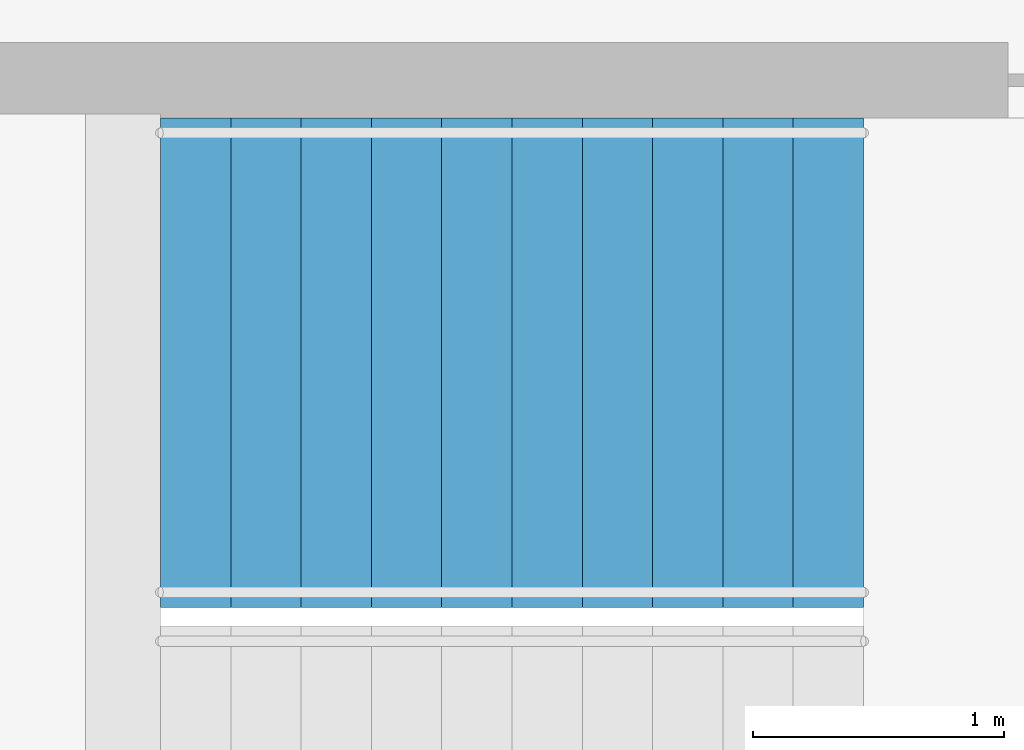
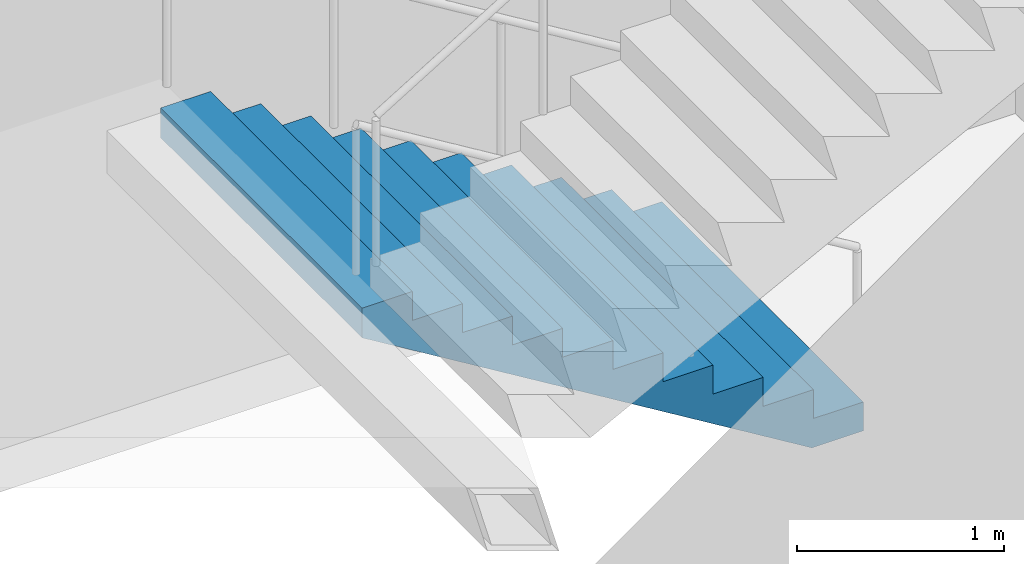
# One storey, part 21 of 22: 1 stair flight, 1 element without a shape of its own.
"""IFC4 building model written with IfcOpenShell, lengths in metres."""

from ifc_helpers import new_model, si_unit, direction, frame, origin, place, context, subcontext, project, spatial, triangles, material, type_object, element, aggregate, save


model = new_model("IFC4")

# Units and contexts
model_context = context("Model", 3, precision=1e-05, world=origin(), true_north=direction((0.0, 1.0)))
body_context = subcontext(model_context, "Body", "Model", "MODEL_VIEW")
ifc_project = project(units=[si_unit("LENGTHUNIT", "METRE"), si_unit("AREAUNIT", "SQUARE_METRE"), si_unit("VOLUMEUNIT", "CUBIC_METRE"), si_unit("PLANEANGLEUNIT", "RADIAN"), si_unit("MASSUNIT", "GRAM", prefix="KILO")], contexts=[model_context])

# Site, building, storey
site_placement = place(None, origin())
site = spatial("IfcSite", under=ifc_project, at=site_placement, CompositionType="ELEMENT")
building_placement = place(site_placement, origin())
building = spatial("IfcBuilding", under=site, at=building_placement, Name="Orbita Commons", CompositionType="ELEMENT")
storey_placement = place(building_placement, frame((0.0, 0.0, 80.64990234375)))
storey = spatial("IfcBuildingStorey", under=building, at=storey_placement, Name="L19", CompositionType="ELEMENT", Elevation=80.64990234375)

# Stair, stair flight
ifc_material_1 = material(Name="Precast concrete C40/50", Category="concrete")
stair_type = type_object("IfcStairType", Name="Exit stair S2 2 flights 11 risers 170", PredefinedType="HALF_TURN_STAIR", material=ifc_material_1)
stair_placement = place(storey_placement, origin())
stair = element("IfcStair", 1, at=stair_placement, inside=storey, type_object=stair_type, Name="Exit stair S2 L19", PredefinedType="HALF_TURN_STAIR")
ifc_material_2 = material(Name="Precast concrete C40/50", Category="concrete")
stair_flight_type = type_object("IfcStairFlightType", Name="Stair flight 11 risers 170 x 280", PredefinedType="STRAIGHT", material=ifc_material_2)
stair_flight_placement = place(storey_placement, frame((63.550048828125, 29.27490234375, 0.0), z_axis=(0.0, 0.0, 1.0), x_axis=(-1.0, 0.0, 0.0)))
stair_flight = element("IfcStairFlight", 2, at=stair_flight_placement, type_object=stair_flight_type, Name="S2 flight 1", NumberOfRisers=11, NumberOfTreads=10, PredefinedType="STRAIGHT", RiserHeight=0.170454545, TreadLength=0.28, context=body_context, shape_type="Tessellation", body=[
    triangles([(0.0, 0.974976, 0.0), (0.0, 0.974976, 0.021307), (0.0, 0.81248, 0.021307), (0.0, 0.81248, 0.0), (0.0, 0.649984, 0.021307), (0.0, 0.649984, 0.0), (0.0, 0.487488, 0.021307), (0.0, 0.487488, 0.0), (0.0, 0.324992, 0.021307), (0.0, 0.324992, 0.0), (0.0, 0.162496, 0.021307), (0.0, 0.162496, 0.0), (0.0, 0.0, 0.021307), (0.0, 0.0, 0.0), (0.0, -0.162496, 0.021307), (0.0, -0.162496, 0.0), (0.0, -0.324992, 0.021307), (0.0, -0.324992, 0.0), (0.0, -0.487488, 0.021307), (0.0, -0.487488, 0.0), (0.0, -0.649984, 0.021307), (0.0, -0.649984, 0.0), (0.0, -0.81248, 0.021307), (0.0, -0.81248, 0.0), (0.0, -0.974976, 0.021307), (0.0, -0.974976, 0.0), (0.0, 0.974976, 0.042614), (0.0, 0.81248, 0.042614), (0.0, 0.649984, 0.042614), (0.0, 0.487488, 0.042614), (0.0, 0.324992, 0.042614), (0.0, 0.162496, 0.042614), (0.0, 0.0, 0.042614), (0.0, -0.162496, 0.042614), (0.0, -0.324992, 0.042614), (0.0, -0.487488, 0.042614), (0.0, -0.649984, 0.042614), (0.0, -0.81248, 0.042614), (0.0, -0.974976, 0.042614), (0.0, 0.974976, 0.06392), (0.0, 0.81248, 0.06392), (0.0, 0.649984, 0.06392), (0.0, 0.487488, 0.06392), (0.0, 0.324992, 0.06392), (0.0, 0.162496, 0.06392), (0.0, 0.0, 0.06392), (0.0, -0.162496, 0.06392), (0.0, -0.324992, 0.06392), (0.0, -0.487488, 0.06392), (0.0, -0.649984, 0.06392), (0.0, -0.81248, 0.06392), (0.0, -0.974976, 0.06392), (0.0, 0.974976, 0.085227), (0.0, 0.81248, 0.085227), (0.0, 0.649984, 0.085227), (0.0, 0.487488, 0.085227), (0.0, 0.324992, 0.085227), (0.0, 0.162496, 0.085227), (0.0, 0.0, 0.085227), (0.0, -0.162496, 0.085227), (0.0, -0.324992, 0.085227), (0.0, -0.487488, 0.085227), (0.0, -0.649984, 0.085227), (0.0, -0.81248, 0.085227), (0.0, -0.974976, 0.085227), (0.0, 0.974976, 0.106534), (0.0, 0.81248, 0.106534), (0.0, 0.649984, 0.106534), (0.0, 0.487488, 0.106534), (0.0, 0.324992, 0.106534), (0.0, 0.162496, 0.106534), (0.0, 0.0, 0.106534), (0.0, -0.162496, 0.106534), (0.0, -0.324992, 0.106534), (0.0, -0.487488, 0.106534), (0.0, -0.649984, 0.106534), (0.0, -0.81248, 0.106534), (0.0, -0.974976, 0.106534), (0.0, 0.974976, 0.127841), (0.0, 0.81248, 0.127841), (0.0, 0.649984, 0.127841), (0.0, 0.487488, 0.127841), (0.0, 0.324992, 0.127841), (0.0, 0.162496, 0.127841), (0.0, 0.0, 0.127841), (0.0, -0.162496, 0.127841), (0.0, -0.324992, 0.127841), (0.0, -0.487488, 0.127841), (0.0, -0.649984, 0.127841), (0.0, -0.81248, 0.127841), (0.0, -0.974976, 0.127841), (0.0, 0.974976, 0.149148), (0.0, 0.81248, 0.149148), (0.0, 0.649984, 0.149148), (0.0, 0.487488, 0.149148), (0.0, 0.324992, 0.149148), (0.0, 0.162496, 0.149148), (0.0, 0.0, 0.149148), (0.0, -0.162496, 0.149148), (0.0, -0.324992, 0.149148), (0.0, -0.487488, 0.149148), (0.0, -0.649984, 0.149148), (0.0, -0.81248, 0.149148), (0.0, -0.974976, 0.149148), (0.0, 0.974976, 0.170455), (0.0, 0.81248, 0.170455), (0.0, 0.649984, 0.170455), (0.0, 0.487488, 0.170455), (0.0, 0.324992, 0.170455), (0.0, 0.162496, 0.170455), (0.0, 0.0, 0.170455), (0.0, -0.162496, 0.170455), (0.0, -0.324992, 0.170455), (0.0, -0.487488, 0.170455), (0.0, -0.649984, 0.170455), (0.0, -0.81248, 0.170455), (0.0, -0.974976, 0.170455), (0.28, 0.974976, 0.170455), (0.28, 0.81248, 0.170455), (0.28, 0.649984, 0.170455), (0.28, 0.487488, 0.170455), (0.28, 0.324992, 0.170455), (0.28, 0.162496, 0.170455), (0.28, 0.0, 0.170455), (0.28, -0.162496, 0.170455), (0.28, -0.324992, 0.170455), (0.28, -0.487488, 0.170455), (0.28, -0.649984, 0.170455), (0.28, -0.81248, 0.170455), (0.28, -0.974976, 0.170455), (0.28, 0.974976, 0.340909), (0.28, 0.81248, 0.340909), (0.28, 0.649984, 0.340909), (0.28, 0.487488, 0.340909), (0.28, 0.324992, 0.340909), (0.28, 0.162496, 0.340909), (0.28, 0.0, 0.340909), (0.28, -0.162496, 0.340909), (0.28, -0.324992, 0.340909), (0.28, -0.487488, 0.340909), (0.28, -0.649984, 0.340909), (0.28, -0.81248, 0.340909), (0.28, -0.974976, 0.340909), (0.56, 0.974976, 0.340909), (0.56, 0.81248, 0.340909), (0.56, 0.649984, 0.340909), (0.56, 0.487488, 0.340909), (0.56, 0.324992, 0.340909), (0.56, 0.162496, 0.340909), (0.56, 0.0, 0.340909), (0.56, -0.162496, 0.340909), (0.56, -0.324992, 0.340909), (0.56, -0.487488, 0.340909), (0.56, -0.649984, 0.340909), (0.56, -0.81248, 0.340909), (0.56, -0.974976, 0.340909), (0.56, 0.974976, 0.511364), (0.56, 0.81248, 0.511364), (0.56, 0.649984, 0.511364), (0.56, 0.487488, 0.511364), (0.56, 0.324992, 0.511364), (0.56, 0.162496, 0.511364), (0.56, 0.0, 0.511364), (0.56, -0.162496, 0.511364), (0.56, -0.324992, 0.511364), (0.56, -0.487488, 0.511364), (0.56, -0.649984, 0.511364), (0.56, -0.81248, 0.511364), (0.56, -0.974976, 0.511364), (0.84, 0.974976, 0.511364), (0.84, 0.81248, 0.511364), (0.84, 0.649984, 0.511364), (0.84, 0.487488, 0.511364), (0.84, 0.324992, 0.511364), (0.84, 0.162496, 0.511364), (0.84, 0.0, 0.511364), (0.84, -0.162496, 0.511364), (0.84, -0.324992, 0.511364), (0.84, -0.487488, 0.511364), (0.84, -0.649984, 0.511364), (0.84, -0.81248, 0.511364), (0.84, -0.974976, 0.511364), (0.84, 0.974976, 0.681818), (0.84, 0.81248, 0.681818), (0.84, 0.649984, 0.681818), (0.84, 0.487488, 0.681818), (0.84, 0.324992, 0.681818), (0.84, 0.162496, 0.681818), (0.84, 0.0, 0.681818), (0.84, -0.162496, 0.681818), (0.84, -0.324992, 0.681818), (0.84, -0.487488, 0.681818), (0.84, -0.649984, 0.681818), (0.84, -0.81248, 0.681818), (0.84, -0.974976, 0.681818), (1.12, 0.974976, 0.681818), (1.12, 0.81248, 0.681818), (1.12, 0.649984, 0.681818), (1.12, 0.487488, 0.681818), (1.12, 0.324992, 0.681818), (1.12, 0.162496, 0.681818), (1.12, 0.0, 0.681818), (1.12, -0.162496, 0.681818), (1.12, -0.324992, 0.681818), (1.12, -0.487488, 0.681818), (1.12, -0.649984, 0.681818), (1.12, -0.81248, 0.681818), (1.12, -0.974976, 0.681818), (1.12, 0.974976, 0.852273), (1.12, 0.81248, 0.852273), (1.12, 0.649984, 0.852273), (1.12, 0.487488, 0.852273), (1.12, 0.324992, 0.852273), (1.12, 0.162496, 0.852273), (1.12, 0.0, 0.852273), (1.12, -0.162496, 0.852273), (1.12, -0.324992, 0.852273), (1.12, -0.487488, 0.852273), (1.12, -0.649984, 0.852273), (1.12, -0.81248, 0.852273), (1.12, -0.974976, 0.852273), (1.4, 0.974976, 0.852273), (1.4, 0.81248, 0.852273), (1.4, 0.649984, 0.852273), (1.4, 0.487488, 0.852273), (1.4, 0.324992, 0.852273), (1.4, 0.162496, 0.852273), (1.4, 0.0, 0.852273), (1.4, -0.162496, 0.852273), (1.4, -0.324992, 0.852273), (1.4, -0.487488, 0.852273), (1.4, -0.649984, 0.852273), (1.4, -0.81248, 0.852273), (1.4, -0.974976, 0.852273), (1.4, 0.974976, 1.022727), (1.4, 0.81248, 1.022727), (1.4, 0.649984, 1.022727), (1.4, 0.487488, 1.022727), (1.4, 0.324992, 1.022727), (1.4, 0.162496, 1.022727), (1.4, 0.0, 1.022727), (1.4, -0.162496, 1.022727), (1.4, -0.324992, 1.022727), (1.4, -0.487488, 1.022727), (1.4, -0.649984, 1.022727), (1.4, -0.81248, 1.022727), (1.4, -0.974976, 1.022727), (1.68, 0.974976, 1.022727), (1.68, 0.81248, 1.022727), (1.68, 0.649984, 1.022727), (1.68, 0.487488, 1.022727), (1.68, 0.324992, 1.022727), (1.68, 0.162496, 1.022727), (1.68, 0.0, 1.022727), (1.68, -0.162496, 1.022727), (1.68, -0.324992, 1.022727), (1.68, -0.487488, 1.022727), (1.68, -0.649984, 1.022727), (1.68, -0.81248, 1.022727), (1.68, -0.974976, 1.022727), (1.68, 0.974976, 1.193182), (1.68, 0.81248, 1.193182), (1.68, 0.649984, 1.193182), (1.68, 0.487488, 1.193182), (1.68, 0.324992, 1.193182), (1.68, 0.162496, 1.193182), (1.68, 0.0, 1.193182), (1.68, -0.162496, 1.193182), (1.68, -0.324992, 1.193182), (1.68, -0.487488, 1.193182), (1.68, -0.649984, 1.193182), (1.68, -0.81248, 1.193182), (1.68, -0.974976, 1.193182), (1.96, 0.974976, 1.193182), (1.96, 0.81248, 1.193182), (1.96, 0.649984, 1.193182), (1.96, 0.487488, 1.193182), (1.96, 0.324992, 1.193182), (1.96, 0.162496, 1.193182), (1.96, 0.0, 1.193182), (1.96, -0.162496, 1.193182), (1.96, -0.324992, 1.193182), (1.96, -0.487488, 1.193182), (1.96, -0.649984, 1.193182), (1.96, -0.81248, 1.193182), (1.96, -0.974976, 1.193182), (1.96, 0.974976, 1.363636), (1.96, 0.81248, 1.363636), (1.96, 0.649984, 1.363636), (1.96, 0.487488, 1.363636), (1.96, 0.324992, 1.363636), (1.96, 0.162496, 1.363636), (1.96, 0.0, 1.363636), (1.96, -0.162496, 1.363636), (1.96, -0.324992, 1.363636), (1.96, -0.487488, 1.363636), (1.96, -0.649984, 1.363636), (1.96, -0.81248, 1.363636), (1.96, -0.974976, 1.363636), (2.24, 0.974976, 1.363636), (2.24, 0.81248, 1.363636), (2.24, 0.649984, 1.363636), (2.24, 0.487488, 1.363636), (2.24, 0.324992, 1.363636), (2.24, 0.162496, 1.363636), (2.24, 0.0, 1.363636), (2.24, -0.162496, 1.363636), (2.24, -0.324992, 1.363636), (2.24, -0.487488, 1.363636), (2.24, -0.649984, 1.363636), (2.24, -0.81248, 1.363636), (2.24, -0.974976, 1.363636), (2.24, 0.974976, 1.534091), (2.24, 0.81248, 1.534091), (2.24, 0.649984, 1.534091), (2.24, 0.487488, 1.534091), (2.24, 0.324992, 1.534091), (2.24, 0.162496, 1.534091), (2.24, 0.0, 1.534091), (2.24, -0.162496, 1.534091), (2.24, -0.324992, 1.534091), (2.24, -0.487488, 1.534091), (2.24, -0.649984, 1.534091), (2.24, -0.81248, 1.534091), (2.24, -0.974976, 1.534091), (2.52, 0.974976, 1.534091), (2.52, 0.81248, 1.534091), (2.52, 0.649984, 1.534091), (2.52, 0.487488, 1.534091), (2.52, 0.324992, 1.534091), (2.52, 0.162496, 1.534091), (2.52, 0.0, 1.534091), (2.52, -0.162496, 1.534091), (2.52, -0.324992, 1.534091), (2.52, -0.487488, 1.534091), (2.52, -0.649984, 1.534091), (2.52, -0.81248, 1.534091), (2.52, -0.974976, 1.534091), (2.52, 0.974976, 1.704545), (2.52, 0.81248, 1.704545), (2.52, 0.649984, 1.704545), (2.52, 0.487488, 1.704545), (2.52, 0.324992, 1.704545), (2.52, 0.162496, 1.704545), (2.52, 0.0, 1.704545), (2.52, -0.162496, 1.704545), (2.52, -0.324992, 1.704545), (2.52, -0.487488, 1.704545), (2.52, -0.649984, 1.704545), (2.52, -0.81248, 1.704545), (2.52, -0.974976, 1.704545), (2.8, 0.974976, 1.704545), (2.8, 0.81248, 1.704545), (2.8, 0.649984, 1.704545), (2.8, 0.487488, 1.704545), (2.8, 0.324992, 1.704545), (2.8, 0.162496, 1.704545), (2.8, 0.0, 1.704545), (2.8, -0.162496, 1.704545), (2.8, -0.324992, 1.704545), (2.8, -0.487488, 1.704545), (2.8, -0.649984, 1.704545), (2.8, -0.81248, 1.704545), (2.8, -0.974976, 1.704545), (2.8, 0.974976, 1.682609), (2.8, 0.81248, 1.682609), (2.8, 0.649984, 1.682609), (2.8, 0.487488, 1.682609), (2.8, 0.324992, 1.682609), (2.8, 0.162496, 1.682609), (2.8, 0.0, 1.682609), (2.8, -0.162496, 1.682609), (2.8, -0.324992, 1.682609), (2.8, -0.487488, 1.682609), (2.8, -0.649984, 1.682609), (2.8, -0.81248, 1.682609), (2.8, -0.974976, 1.682609), (2.8, 0.974976, 1.660672), (2.8, 0.81248, 1.660672), (2.8, 0.649984, 1.660672), (2.8, 0.487488, 1.660672), (2.8, 0.324992, 1.660672), (2.8, 0.162496, 1.660672), (2.8, 0.0, 1.660672), (2.8, -0.162496, 1.660672), (2.8, -0.324992, 1.660672), (2.8, -0.487488, 1.660672), (2.8, -0.649984, 1.660672), (2.8, -0.81248, 1.660672), (2.8, -0.974976, 1.660672), (2.8, 0.974976, 1.638735), (2.8, 0.81248, 1.638735), (2.8, 0.649984, 1.638735), (2.8, 0.487488, 1.638735), (2.8, 0.324992, 1.638735), (2.8, 0.162496, 1.638735), (2.8, 0.0, 1.638735), (2.8, -0.162496, 1.638735), (2.8, -0.324992, 1.638735), (2.8, -0.487488, 1.638735), (2.8, -0.649984, 1.638735), (2.8, -0.81248, 1.638735), (2.8, -0.974976, 1.638735), (2.8, 0.974976, 1.616798), (2.8, 0.81248, 1.616798), (2.8, 0.649984, 1.616798), (2.8, 0.487488, 1.616798), (2.8, 0.324992, 1.616798), (2.8, 0.162496, 1.616798), (2.8, 0.0, 1.616798), (2.8, -0.162496, 1.616798), (2.8, -0.324992, 1.616798), (2.8, -0.487488, 1.616798), (2.8, -0.649984, 1.616798), (2.8, -0.81248, 1.616798), (2.8, -0.974976, 1.616798), (2.8, 0.974976, 1.594861), (2.8, 0.81248, 1.594861), (2.8, 0.649984, 1.594861), (2.8, 0.487488, 1.594861), (2.8, 0.324992, 1.594861), (2.8, 0.162496, 1.594861), (2.8, 0.0, 1.594861), (2.8, -0.162496, 1.594861), (2.8, -0.324992, 1.594861), (2.8, -0.487488, 1.594861), (2.8, -0.649984, 1.594861), (2.8, -0.81248, 1.594861), (2.8, -0.974976, 1.594861), (2.8, 0.974976, 1.572925), (2.8, 0.81248, 1.572925), (2.8, 0.649984, 1.572925), (2.8, 0.487488, 1.572925), (2.8, 0.324992, 1.572925), (2.8, 0.162496, 1.572925), (2.8, 0.0, 1.572925), (2.8, -0.162496, 1.572925), (2.8, -0.324992, 1.572925), (2.8, -0.487488, 1.572925), (2.8, -0.649984, 1.572925), (2.8, -0.81248, 1.572925), (2.8, -0.974976, 1.572925), (2.8, 0.974976, 1.550988), (2.8, 0.81248, 1.550988), (2.8, 0.649984, 1.550988), (2.8, 0.487488, 1.550988), (2.8, 0.324992, 1.550988), (2.8, 0.162496, 1.550988), (2.8, 0.0, 1.550988), (2.8, -0.162496, 1.550988), (2.8, -0.324992, 1.550988), (2.8, -0.487488, 1.550988), (2.8, -0.649984, 1.550988), (2.8, -0.81248, 1.550988), (2.8, -0.974976, 1.550988), (2.8, 0.974976, 1.529051), (2.8, 0.81248, 1.529051), (2.8, 0.649984, 1.529051), (2.8, 0.487488, 1.529051), (2.8, 0.324992, 1.529051), (2.8, 0.162496, 1.529051), (2.8, 0.0, 1.529051), (2.8, -0.162496, 1.529051), (2.8, -0.324992, 1.529051), (2.8, -0.487488, 1.529051), (2.8, -0.649984, 1.529051), (2.8, -0.81248, 1.529051), (2.8, -0.974976, 1.529051), (0.288279, 0.974976, 0.0), (0.288279, 0.81248, 0.0), (0.288279, 0.649984, 0.0), (0.288279, 0.487488, 0.0), (0.288279, 0.324992, 0.0), (0.288279, 0.162496, 0.0), (0.288279, 0.0, 0.0), (0.288279, -0.162496, 0.0), (0.288279, -0.324992, 0.0), (0.288279, -0.487488, 0.0), (0.288279, -0.649984, 0.0), (0.288279, -0.81248, 0.0), (0.288279, -0.974976, 0.0)], [[3, 2, 1], [4, 3, 1], [5, 3, 4], [6, 5, 4], [7, 5, 6], [8, 7, 6], [9, 7, 8], [10, 9, 8], [11, 9, 10], [12, 11, 10], [13, 11, 12], [14, 13, 12], [15, 13, 14], [16, 15, 14], [17, 15, 16], [18, 17, 16], [19, 17, 18], [20, 19, 18], [21, 19, 20], [22, 21, 20], [23, 21, 22], [24, 23, 22], [25, 23, 24], [26, 25, 24], [28, 27, 2], [3, 28, 2], [29, 28, 3], [5, 29, 3], [30, 29, 5], [7, 30, 5], [31, 30, 7], [9, 31, 7], [32, 31, 9], [11, 32, 9], [33, 32, 11], [13, 33, 11], [34, 33, 13], [15, 34, 13], [35, 34, 15], [17, 35, 15], [36, 35, 17], [19, 36, 17], [37, 36, 19], [21, 37, 19], [38, 37, 21], [23, 38, 21], [39, 38, 23], [25, 39, 23], [41, 40, 27], [28, 41, 27], [42, 41, 28], [29, 42, 28], [43, 42, 29], [30, 43, 29], [44, 43, 30], [31, 44, 30], [45, 44, 31], [32, 45, 31], [46, 45, 32], [33, 46, 32], [47, 46, 33], [34, 47, 33], [48, 47, 34], [35, 48, 34], [49, 48, 35], [36, 49, 35], [50, 49, 36], [37, 50, 36], [51, 50, 37], [38, 51, 37], [52, 51, 38], [39, 52, 38], [54, 53, 40], [41, 54, 40], [55, 54, 41], [42, 55, 41], [56, 55, 42], [43, 56, 42], [57, 56, 43], [44, 57, 43], [58, 57, 44], [45, 58, 44], [59, 58, 45], [46, 59, 45], [60, 59, 46], [47, 60, 46], [61, 60, 47], [48, 61, 47], [62, 61, 48], [49, 62, 48], [63, 62, 49], [50, 63, 49], [64, 63, 50], [51, 64, 50], [65, 64, 51], [52, 65, 51], [67, 66, 53], [54, 67, 53], [68, 67, 54], [55, 68, 54], [69, 68, 55], [56, 69, 55], [70, 69, 56], [57, 70, 56], [71, 70, 57], [58, 71, 57], [72, 71, 58], [59, 72, 58], [73, 72, 59], [60, 73, 59], [74, 73, 60], [61, 74, 60], [75, 74, 61], [62, 75, 61], [76, 75, 62], [63, 76, 62], [77, 76, 63], [64, 77, 63], [78, 77, 64], [65, 78, 64], [80, 79, 66], [67, 80, 66], [81, 80, 67], [68, 81, 67], [82, 81, 68], [69, 82, 68], [83, 82, 69], [70, 83, 69], [84, 83, 70], [71, 84, 70], [85, 84, 71], [72, 85, 71], [86, 85, 72], [73, 86, 72], [87, 86, 73], [74, 87, 73], [88, 87, 74], [75, 88, 74], [89, 88, 75], [76, 89, 75], [90, 89, 76], [77, 90, 76], [91, 90, 77], [78, 91, 77], [93, 92, 79], [80, 93, 79], [94, 93, 80], [81, 94, 80], [95, 94, 81], [82, 95, 81], [96, 95, 82], [83, 96, 82], [97, 96, 83], [84, 97, 83], [98, 97, 84], [85, 98, 84], [99, 98, 85], [86, 99, 85], [100, 99, 86], [87, 100, 86], [101, 100, 87], [88, 101, 87], [102, 101, 88], [89, 102, 88], [103, 102, 89], [90, 103, 89], [104, 103, 90], [91, 104, 90], [106, 105, 92], [93, 106, 92], [107, 106, 93], [94, 107, 93], [108, 107, 94], [95, 108, 94], [109, 108, 95], [96, 109, 95], [110, 109, 96], [97, 110, 96], [111, 110, 97], [98, 111, 97], [112, 111, 98], [99, 112, 98], [113, 112, 99], [100, 113, 99], [114, 113, 100], [101, 114, 100], [115, 114, 101], [102, 115, 101], [116, 115, 102], [103, 116, 102], [117, 116, 103], [104, 117, 103], [119, 118, 105], [106, 119, 105], [120, 119, 106], [107, 120, 106], [121, 120, 107], [108, 121, 107], [122, 121, 108], [109, 122, 108], [123, 122, 109], [110, 123, 109], [124, 123, 110], [111, 124, 110], [125, 124, 111], [112, 125, 111], [126, 125, 112], [113, 126, 112], [127, 126, 113], [114, 127, 113], [128, 127, 114], [115, 128, 114], [129, 128, 115], [116, 129, 115], [130, 129, 116], [117, 130, 116], [132, 131, 118], [119, 132, 118], [133, 132, 119], [120, 133, 119], [134, 133, 120], [121, 134, 120], [135, 134, 121], [122, 135, 121], [136, 135, 122], [123, 136, 122], [137, 136, 123], [124, 137, 123], [138, 137, 124], [125, 138, 124], [139, 138, 125], [126, 139, 125], [140, 139, 126], [127, 140, 126], [141, 140, 127], [128, 141, 127], [142, 141, 128], [129, 142, 128], [143, 142, 129], [130, 143, 129], [145, 144, 131], [132, 145, 131], [146, 145, 132], [133, 146, 132], [147, 146, 133], [134, 147, 133], [148, 147, 134], [135, 148, 134], [149, 148, 135], [136, 149, 135], [150, 149, 136], [137, 150, 136], [151, 150, 137], [138, 151, 137], [152, 151, 138], [139, 152, 138], [153, 152, 139], [140, 153, 139], [154, 153, 140], [141, 154, 140], [155, 154, 141], [142, 155, 141], [156, 155, 142], [143, 156, 142], [158, 157, 144], [145, 158, 144], [159, 158, 145], [146, 159, 145], [160, 159, 146], [147, 160, 146], [161, 160, 147], [148, 161, 147], [162, 161, 148], [149, 162, 148], [163, 162, 149], [150, 163, 149], [164, 163, 150], [151, 164, 150], [165, 164, 151], [152, 165, 151], [166, 165, 152], [153, 166, 152], [167, 166, 153], [154, 167, 153], [168, 167, 154], [155, 168, 154], [169, 168, 155], [156, 169, 155], [171, 170, 157], [158, 171, 157], [172, 171, 158], [159, 172, 158], [173, 172, 159], [160, 173, 159], [174, 173, 160], [161, 174, 160], [175, 174, 161], [162, 175, 161], [176, 175, 162], [163, 176, 162], [177, 176, 163], [164, 177, 163], [178, 177, 164], [165, 178, 164], [179, 178, 165], [166, 179, 165], [180, 179, 166], [167, 180, 166], [181, 180, 167], [168, 181, 167], [182, 181, 168], [169, 182, 168], [184, 183, 170], [171, 184, 170], [185, 184, 171], [172, 185, 171], [186, 185, 172], [173, 186, 172], [187, 186, 173], [174, 187, 173], [188, 187, 174], [175, 188, 174], [189, 188, 175], [176, 189, 175], [190, 189, 176], [177, 190, 176], [191, 190, 177], [178, 191, 177], [192, 191, 178], [179, 192, 178], [193, 192, 179], [180, 193, 179], [194, 193, 180], [181, 194, 180], [195, 194, 181], [182, 195, 181], [197, 196, 183], [184, 197, 183], [198, 197, 184], [185, 198, 184], [199, 198, 185], [186, 199, 185], [200, 199, 186], [187, 200, 186], [201, 200, 187], [188, 201, 187], [202, 201, 188], [189, 202, 188], [203, 202, 189], [190, 203, 189], [204, 203, 190], [191, 204, 190], [205, 204, 191], [192, 205, 191], [206, 205, 192], [193, 206, 192], [207, 206, 193], [194, 207, 193], [208, 207, 194], [195, 208, 194], [210, 209, 196], [197, 210, 196], [211, 210, 197], [198, 211, 197], [212, 211, 198], [199, 212, 198], [213, 212, 199], [200, 213, 199], [214, 213, 200], [201, 214, 200], [215, 214, 201], [202, 215, 201], [216, 215, 202], [203, 216, 202], [217, 216, 203], [204, 217, 203], [218, 217, 204], [205, 218, 204], [219, 218, 205], [206, 219, 205], [220, 219, 206], [207, 220, 206], [221, 220, 207], [208, 221, 207], [223, 222, 209], [210, 223, 209], [224, 223, 210], [211, 224, 210], [225, 224, 211], [212, 225, 211], [226, 225, 212], [213, 226, 212], [227, 226, 213], [214, 227, 213], [228, 227, 214], [215, 228, 214], [229, 228, 215], [216, 229, 215], [230, 229, 216], [217, 230, 216], [231, 230, 217], [218, 231, 217], [232, 231, 218], [219, 232, 218], [233, 232, 219], [220, 233, 219], [234, 233, 220], [221, 234, 220], [236, 235, 222], [223, 236, 222], [237, 236, 223], [224, 237, 223], [238, 237, 224], [225, 238, 224], [239, 238, 225], [226, 239, 225], [240, 239, 226], [227, 240, 226], [241, 240, 227], [228, 241, 227], [242, 241, 228], [229, 242, 228], [243, 242, 229], [230, 243, 229], [244, 243, 230], [231, 244, 230], [245, 244, 231], [232, 245, 231], [246, 245, 232], [233, 246, 232], [247, 246, 233], [234, 247, 233], [249, 248, 235], [236, 249, 235], [250, 249, 236], [237, 250, 236], [251, 250, 237], [238, 251, 237], [252, 251, 238], [239, 252, 238], [253, 252, 239], [240, 253, 239], [254, 253, 240], [241, 254, 240], [255, 254, 241], [242, 255, 241], [256, 255, 242], [243, 256, 242], [257, 256, 243], [244, 257, 243], [258, 257, 244], [245, 258, 244], [259, 258, 245], [246, 259, 245], [260, 259, 246], [247, 260, 246], [262, 261, 248], [249, 262, 248], [263, 262, 249], [250, 263, 249], [264, 263, 250], [251, 264, 250], [265, 264, 251], [252, 265, 251], [266, 265, 252], [253, 266, 252], [267, 266, 253], [254, 267, 253], [268, 267, 254], [255, 268, 254], [269, 268, 255], [256, 269, 255], [270, 269, 256], [257, 270, 256], [271, 270, 257], [258, 271, 257], [272, 271, 258], [259, 272, 258], [273, 272, 259], [260, 273, 259], [275, 274, 261], [262, 275, 261], [276, 275, 262], [263, 276, 262], [277, 276, 263], [264, 277, 263], [278, 277, 264], [265, 278, 264], [279, 278, 265], [266, 279, 265], [280, 279, 266], [267, 280, 266], [281, 280, 267], [268, 281, 267], [282, 281, 268], [269, 282, 268], [283, 282, 269], [270, 283, 269], [284, 283, 270], [271, 284, 270], [285, 284, 271], [272, 285, 271], [286, 285, 272], [273, 286, 272], [288, 287, 274], [275, 288, 274], [289, 288, 275], [276, 289, 275], [290, 289, 276], [277, 290, 276], [291, 290, 277], [278, 291, 277], [292, 291, 278], [279, 292, 278], [293, 292, 279], [280, 293, 279], [294, 293, 280], [281, 294, 280], [295, 294, 281], [282, 295, 281], [296, 295, 282], [283, 296, 282], [297, 296, 283], [284, 297, 283], [298, 297, 284], [285, 298, 284], [299, 298, 285], [286, 299, 285], [301, 300, 287], [288, 301, 287], [302, 301, 288], [289, 302, 288], [303, 302, 289], [290, 303, 289], [304, 303, 290], [291, 304, 290], [305, 304, 291], [292, 305, 291], [306, 305, 292], [293, 306, 292], [307, 306, 293], [294, 307, 293], [308, 307, 294], [295, 308, 294], [309, 308, 295], [296, 309, 295], [310, 309, 296], [297, 310, 296], [311, 310, 297], [298, 311, 297], [312, 311, 298], [299, 312, 298], [314, 313, 300], [301, 314, 300], [315, 314, 301], [302, 315, 301], [316, 315, 302], [303, 316, 302], [317, 316, 303], [304, 317, 303], [318, 317, 304], [305, 318, 304], [319, 318, 305], [306, 319, 305], [320, 319, 306], [307, 320, 306], [321, 320, 307], [308, 321, 307], [322, 321, 308], [309, 322, 308], [323, 322, 309], [310, 323, 309], [324, 323, 310], [311, 324, 310], [325, 324, 311], [312, 325, 311], [327, 326, 313], [314, 327, 313], [328, 327, 314], [315, 328, 314], [329, 328, 315], [316, 329, 315], [330, 329, 316], [317, 330, 316], [331, 330, 317], [318, 331, 317], [332, 331, 318], [319, 332, 318], [333, 332, 319], [320, 333, 319], [334, 333, 320], [321, 334, 320], [335, 334, 321], [322, 335, 321], [336, 335, 322], [323, 336, 322], [337, 336, 323], [324, 337, 323], [338, 337, 324], [325, 338, 324], [340, 339, 326], [327, 340, 326], [341, 340, 327], [328, 341, 327], [342, 341, 328], [329, 342, 328], [343, 342, 329], [330, 343, 329], [344, 343, 330], [331, 344, 330], [345, 344, 331], [332, 345, 331], [346, 345, 332], [333, 346, 332], [347, 346, 333], [334, 347, 333], [348, 347, 334], [335, 348, 334], [349, 348, 335], [336, 349, 335], [350, 349, 336], [337, 350, 336], [351, 350, 337], [338, 351, 337], [353, 352, 339], [340, 353, 339], [354, 353, 340], [341, 354, 340], [355, 354, 341], [342, 355, 341], [356, 355, 342], [343, 356, 342], [357, 356, 343], [344, 357, 343], [358, 357, 344], [345, 358, 344], [359, 358, 345], [346, 359, 345], [360, 359, 346], [347, 360, 346], [361, 360, 347], [348, 361, 347], [362, 361, 348], [349, 362, 348], [363, 362, 349], [350, 363, 349], [364, 363, 350], [351, 364, 350], [366, 365, 352], [353, 366, 352], [367, 366, 353], [354, 367, 353], [368, 367, 354], [355, 368, 354], [369, 368, 355], [356, 369, 355], [370, 369, 356], [357, 370, 356], [371, 370, 357], [358, 371, 357], [372, 371, 358], [359, 372, 358], [373, 372, 359], [360, 373, 359], [374, 373, 360], [361, 374, 360], [375, 374, 361], [362, 375, 361], [376, 375, 362], [363, 376, 362], [377, 376, 363], [364, 377, 363], [379, 378, 365], [366, 379, 365], [380, 379, 366], [367, 380, 366], [381, 380, 367], [368, 381, 367], [382, 381, 368], [369, 382, 368], [383, 382, 369], [370, 383, 369], [384, 383, 370], [371, 384, 370], [385, 384, 371], [372, 385, 371], [386, 385, 372], [373, 386, 372], [387, 386, 373], [374, 387, 373], [388, 387, 374], [375, 388, 374], [389, 388, 375], [376, 389, 375], [390, 389, 376], [377, 390, 376], [392, 391, 378], [379, 392, 378], [393, 392, 379], [380, 393, 379], [394, 393, 380], [381, 394, 380], [395, 394, 381], [382, 395, 381], [396, 395, 382], [383, 396, 382], [397, 396, 383], [384, 397, 383], [398, 397, 384], [385, 398, 384], [399, 398, 385], [386, 399, 385], [400, 399, 386], [387, 400, 386], [401, 400, 387], [388, 401, 387], [402, 401, 388], [389, 402, 388], [403, 402, 389], [390, 403, 389], [405, 404, 391], [392, 405, 391], [406, 405, 392], [393, 406, 392], [407, 406, 393], [394, 407, 393], [408, 407, 394], [395, 408, 394], [409, 408, 395], [396, 409, 395], [410, 409, 396], [397, 410, 396], [411, 410, 397], [398, 411, 397], [412, 411, 398], [399, 412, 398], [413, 412, 399], [400, 413, 399], [414, 413, 400], [401, 414, 400], [415, 414, 401], [402, 415, 401], [416, 415, 402], [403, 416, 402], [418, 417, 404], [405, 418, 404], [419, 418, 405], [406, 419, 405], [420, 419, 406], [407, 420, 406], [421, 420, 407], [408, 421, 407], [422, 421, 408], [409, 422, 408], [423, 422, 409], [410, 423, 409], [424, 423, 410], [411, 424, 410], [425, 424, 411], [412, 425, 411], [426, 425, 412], [413, 426, 412], [427, 426, 413], [414, 427, 413], [428, 427, 414], [415, 428, 414], [429, 428, 415], [416, 429, 415], [431, 430, 417], [418, 431, 417], [432, 431, 418], [419, 432, 418], [433, 432, 419], [420, 433, 419], [434, 433, 420], [421, 434, 420], [435, 434, 421], [422, 435, 421], [436, 435, 422], [423, 436, 422], [437, 436, 423], [424, 437, 423], [438, 437, 424], [425, 438, 424], [439, 438, 425], [426, 439, 425], [440, 439, 426], [427, 440, 426], [441, 440, 427], [428, 441, 427], [442, 441, 428], [429, 442, 428], [444, 443, 430], [431, 444, 430], [445, 444, 431], [432, 445, 431], [446, 445, 432], [433, 446, 432], [447, 446, 433], [434, 447, 433], [448, 447, 434], [435, 448, 434], [449, 448, 435], [436, 449, 435], [450, 449, 436], [437, 450, 436], [451, 450, 437], [438, 451, 437], [452, 451, 438], [439, 452, 438], [453, 452, 439], [440, 453, 439], [454, 453, 440], [441, 454, 440], [455, 454, 441], [442, 455, 441], [457, 456, 443], [444, 457, 443], [458, 457, 444], [445, 458, 444], [459, 458, 445], [446, 459, 445], [460, 459, 446], [447, 460, 446], [461, 460, 447], [448, 461, 447], [462, 461, 448], [449, 462, 448], [463, 462, 449], [450, 463, 449], [464, 463, 450], [451, 464, 450], [465, 464, 451], [452, 465, 451], [466, 465, 452], [453, 466, 452], [467, 466, 453], [454, 467, 453], [468, 467, 454], [455, 468, 454], [470, 469, 456], [457, 470, 456], [471, 470, 457], [458, 471, 457], [472, 471, 458], [459, 472, 458], [473, 472, 459], [460, 473, 459], [474, 473, 460], [461, 474, 460], [475, 474, 461], [462, 475, 461], [476, 475, 462], [463, 476, 462], [477, 476, 463], [464, 477, 463], [478, 477, 464], [465, 478, 464], [479, 478, 465], [466, 479, 465], [480, 479, 466], [467, 480, 466], [481, 480, 467], [468, 481, 467], [4, 1, 469], [470, 4, 469], [6, 4, 470], [471, 6, 470], [8, 6, 471], [472, 8, 471], [10, 8, 472], [473, 10, 472], [12, 10, 473], [474, 12, 473], [14, 12, 474], [475, 14, 474], [16, 14, 475], [476, 16, 475], [18, 16, 476], [477, 18, 476], [20, 18, 477], [478, 20, 477], [22, 20, 478], [479, 22, 478], [24, 22, 479], [480, 24, 479], [26, 24, 480], [481, 26, 480], [456, 469, 1], [26, 481, 468], [443, 456, 1], [26, 468, 455], [430, 443, 1], [26, 455, 442], [417, 430, 1], [26, 442, 429], [404, 417, 1], [26, 429, 416], [391, 404, 1], [26, 416, 403], [378, 391, 1], [26, 403, 390], [365, 378, 1], [26, 390, 377], [339, 352, 365], [377, 364, 351], [326, 339, 365], [377, 351, 338], [300, 313, 326], [338, 325, 312], [300, 326, 365], [377, 338, 312], [274, 287, 300], [312, 299, 286], [274, 300, 365], [377, 312, 286], [248, 261, 274], [286, 273, 260], [248, 274, 365], [377, 286, 260], [222, 235, 248], [260, 247, 234], [222, 248, 365], [377, 260, 234], [196, 209, 222], [234, 221, 208], [196, 222, 365], [377, 234, 208], [170, 183, 196], [208, 195, 182], [170, 196, 365], [377, 208, 182], [144, 157, 170], [182, 169, 156], [144, 170, 365], [377, 182, 156], [118, 131, 144], [156, 143, 130], [118, 144, 365], [377, 156, 130], [118, 365, 1], [26, 377, 130], [92, 105, 118], [130, 117, 104], [79, 92, 118], [130, 104, 91], [66, 79, 118], [130, 91, 78], [53, 66, 118], [130, 78, 65], [40, 53, 118], [130, 65, 52], [27, 40, 118], [130, 52, 39], [2, 27, 118], [130, 39, 25], [1, 2, 118], [130, 25, 26]], closed=True),
])
aggregate(stair, [stair_flight])

save(model, "model.ifc")
